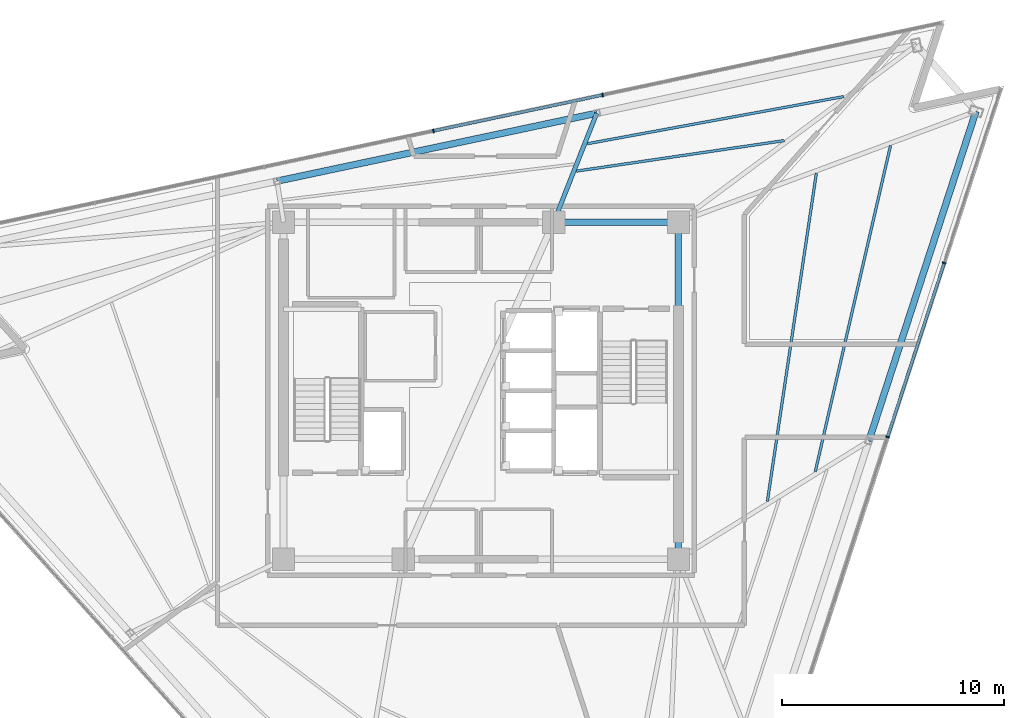
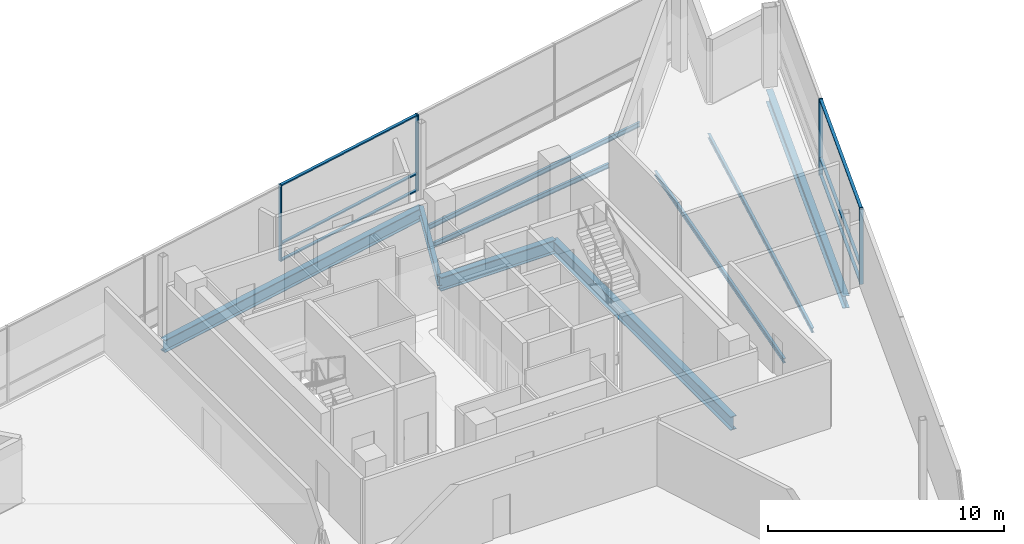
# One storey, part 8 of 16: 10 members, 9 beams, 2 elements without a shape of their own.
"""IFC4 building model written with IfcOpenShell, lengths in metres."""

from ifc_helpers import new_model, si_unit, direction, frame, origin, origin_2d, place, context, subcontext, project, spatial, rectangle, i_section, extrude, material, layer, layer_set, material_profile, profile_set, type_object, element, aggregate, save


model = new_model("IFC4")

# Units and contexts
model_context = context("Model", 3, precision=1e-05, world=origin(), true_north=direction((0.0, 1.0)))
body_context = subcontext(model_context, "Body", "Model", "MODEL_VIEW")
ifc_project = project(units=[si_unit("LENGTHUNIT", "METRE"), si_unit("AREAUNIT", "SQUARE_METRE"), si_unit("VOLUMEUNIT", "CUBIC_METRE"), si_unit("PLANEANGLEUNIT", "RADIAN"), si_unit("MASSUNIT", "GRAM", prefix="KILO")], contexts=[model_context])

# Site, building, storey
site_placement = place(None, origin())
site = spatial("IfcSite", under=ifc_project, at=site_placement, CompositionType="ELEMENT")
building_placement = place(site_placement, origin())
building = spatial("IfcBuilding", under=site, at=building_placement, Name="Tharavind Bronze Gate", CompositionType="ELEMENT")
storey_placement = place(building_placement, frame((0.0, 0.0, 302.14990234375)))
storey = spatial("IfcBuildingStorey", under=building, at=storey_placement, Name="L78", CompositionType="ELEMENT", Elevation=302.14990234375)

# Curtain wall, members
ifc_material_1 = material(Name="Anodised Bronze Aluminium", Category="aluminium")
ifc_layer = layer(ifc_material_1, 0.219970703125)
ifc_layer_set = layer_set([ifc_layer], Name="Anodised Bronze Aluminium")
curtain_wall_type = type_object("IfcCurtainWallType", Name="UNITISED CURTAIN WALL CROWN", PredefinedType="USERDEFINED", material=ifc_layer_set)
curtain_wall_1_placement = place(storey_placement, origin())
curtain_wall_1 = element("IfcCurtainWall", 1, at=curtain_wall_1_placement, inside=storey, type_object=curtain_wall_type, Name="L78 unitised curtain wall crown CW-L78-S2", ObjectType="UNITISED CURTAIN WALL", PredefinedType="USERDEFINED")
member_type_1 = type_object("IfcMemberType", Name="CURTAIN WALL BRONZE MULLION 65X180", PredefinedType="MULLION", material=ifc_material_1)
member_1_placement = place(storey_placement, frame((18.336181640625, -2.08544921875, 0.0), z_axis=(0.0, 0.0, 1.0), x_axis=(0.309016994375, 0.951056516295, 0.0)))
member_1 = element("IfcMember", 2, at=member_1_placement, type_object=member_type_1, Name="CW-L78-S2 mullion 5", PredefinedType="MULLION", context=body_context, shape_type="SweptSolid", body=[
    extrude(rectangle(XDim=0.06494140625, YDim=0.179931640625, at=origin_2d()), origin(), (0.0, 0.0, 1.0), 3.949951171875),
])
member_2_placement = place(storey_placement, frame((20.885009765625, 5.759033203125, 0.0), z_axis=(0.0, 0.0, 1.0), x_axis=(0.309016994375, 0.951056516295, 0.0)))
member_2 = element("IfcMember", 3, at=member_2_placement, type_object=member_type_1, Name="CW-L78-S2 mullion 6", PredefinedType="MULLION", context=body_context, shape_type="SweptSolid", body=[
    extrude(rectangle(XDim=0.06494140625, YDim=0.179931640625, at=origin_2d()), origin(), (0.0, 0.0, 1.0), 3.949951171875),
])

curtain_wall_2_placement = place(storey_placement, origin())
curtain_wall_2 = element("IfcCurtainWall", 4, at=curtain_wall_2_placement, inside=storey, type_object=curtain_wall_type, Name="L78 unitised curtain wall crown CW-L78-S3", ObjectType="UNITISED CURTAIN WALL", PredefinedType="USERDEFINED")
member_3_placement = place(storey_placement, frame((5.487548828125, 13.33740234375, 0.0), z_axis=(0.0, 0.0, 1.0), x_axis=(-0.978147237858, -0.207913398007, 0.0)))
member_3 = element("IfcMember", 5, at=member_3_placement, type_object=member_type_1, Name="CW-L78-S3 mullion 3", PredefinedType="MULLION", context=body_context, shape_type="SweptSolid", body=[
    extrude(rectangle(XDim=0.06494140625, YDim=0.179931640625, at=origin_2d()), origin(), (0.0, 0.0, 1.0), 3.949951171875),
])
member_4_placement = place(storey_placement, frame((-2.14453125, 11.715087890625, 0.0), z_axis=(0.0, 0.0, 1.0), x_axis=(-0.978147237858, -0.207913398007, 0.0)))
member_4 = element("IfcMember", 6, at=member_4_placement, type_object=member_type_1, Name="CW-L78-S3 mullion 4", PredefinedType="MULLION", context=body_context, shape_type="SweptSolid", body=[
    extrude(rectangle(XDim=0.06494140625, YDim=0.179931640625, at=origin_2d()), origin(), (0.0, 0.0, 1.0), 3.949951171875),
])

# Member
member_type_2 = type_object("IfcMemberType", Name="CURTAIN WALL BRONZE TRANSOM 65X140", PredefinedType="USERDEFINED", material=ifc_material_1)
member_5_placement = place(storey_placement, frame((19.610595703125, 1.8369140625, 0.000244140625), z_axis=(0.0, 0.0, 1.0), x_axis=(0.309016994375, 0.951056516295, 0.0)))
member_5 = element("IfcMember", 7, at=member_5_placement, type_object=member_type_2, Name="CW-L78-S2 transom TB5", ObjectType="TRANSOM", PredefinedType="USERDEFINED", context=body_context, shape_type="SweptSolid", body=[
    extrude(rectangle(XDim=8.195068359375, YDim=0.139892578125, at=origin_2d()), origin(), (0.0, 0.0, 1.0), 0.06494140625),
])

member_6_placement = place(storey_placement, frame((19.610595703125, 1.8369140625, 0.86767578125), z_axis=(0.0, 0.0, 1.0), x_axis=(0.309016994375, 0.951056516295, 0.0)))
member_6 = element("IfcMember", 8, at=member_6_placement, type_object=member_type_2, Name="CW-L78-S2 transom TS5", ObjectType="TRANSOM", PredefinedType="USERDEFINED", context=body_context, shape_type="SweptSolid", body=[
    extrude(rectangle(XDim=8.195068359375, YDim=0.139892578125, at=origin_2d()), origin(), (0.0, 0.0, 1.0), 0.06494140625),
])

member_7_placement = place(storey_placement, frame((19.610595703125, 1.8369140625, 3.885009765625), z_axis=(0.0, 0.0, 1.0), x_axis=(0.309016994375, 0.951056516295, 0.0)))
member_7 = element("IfcMember", 9, at=member_7_placement, type_object=member_type_2, Name="CW-L78-S2 transom TT5", ObjectType="TRANSOM", PredefinedType="USERDEFINED", context=body_context, shape_type="SweptSolid", body=[
    extrude(rectangle(XDim=8.195068359375, YDim=0.139892578125, at=origin_2d()), origin(), (0.0, 0.0, 1.0), 0.06494140625),
])

aggregate(curtain_wall_1, [member_1, member_2, member_5, member_6, member_7])

member_8_placement = place(storey_placement, frame((1.67138671875, 12.526123046875, 0.000244140625), z_axis=(0.0, 0.0, 1.0), x_axis=(-0.978147237858, -0.207913398007, 0.0)))
member_8 = element("IfcMember", 10, at=member_8_placement, type_object=member_type_2, Name="CW-L78-S3 transom TB3", ObjectType="TRANSOM", PredefinedType="USERDEFINED", context=body_context, shape_type="SweptSolid", body=[
    extrude(rectangle(XDim=7.749755859375, YDim=0.139892578125, at=origin_2d()), origin(), (0.0, 0.0, 1.0), 0.06494140625),
])

member_9_placement = place(storey_placement, frame((1.67138671875, 12.526123046875, 0.86767578125), z_axis=(0.0, 0.0, 1.0), x_axis=(-0.978147237858, -0.207913398007, 0.0)))
member_9 = element("IfcMember", 11, at=member_9_placement, type_object=member_type_2, Name="CW-L78-S3 transom TS3", ObjectType="TRANSOM", PredefinedType="USERDEFINED", context=body_context, shape_type="SweptSolid", body=[
    extrude(rectangle(XDim=7.749755859375, YDim=0.139892578125, at=origin_2d()), origin(), (0.0, 0.0, 1.0), 0.06494140625),
])

member_10_placement = place(storey_placement, frame((1.67138671875, 12.526123046875, 3.885009765625), z_axis=(0.0, 0.0, 1.0), x_axis=(-0.978147237858, -0.207913398007, 0.0)))
member_10 = element("IfcMember", 12, at=member_10_placement, type_object=member_type_2, Name="CW-L78-S3 transom TT3", ObjectType="TRANSOM", PredefinedType="USERDEFINED", context=body_context, shape_type="SweptSolid", body=[
    extrude(rectangle(XDim=7.749755859375, YDim=0.139892578125, at=origin_2d()), origin(), (0.0, 0.0, 1.0), 0.06494140625),
])

aggregate(curtain_wall_2, [member_3, member_4, member_8, member_9, member_10])

# Beams
ifc_material_2 = material(Name="Steel S355", Category="steel")
ifc_material_profile_1 = material_profile(ifc_material_2, i_section(OverallWidth=0.300048828125, OverallDepth=0.64990234375, WebThickness=0.01611328125, FlangeThickness=0.031005859375, at=origin_2d()), Name="HE650B")
ifc_profile_set_1 = profile_set([ifc_material_profile_1], Name="Steel S355")
beam_type_1 = type_object("IfcBeamType", Name="PRIMARY GIRDER HE650B", PredefinedType="USERDEFINED", material=ifc_profile_set_1)
beam_1_placement = place(storey_placement, frame((17.4892578125, -2.265380859375, -0.52490234375), z_axis=(0.309011547215, 0.951058286168, 0.0), x_axis=(-0.951058286168, 0.309011547215, 0.0)))
element("IfcBeam", 13, at=beam_1_placement, inside=storey, type_object=beam_type_1, Name="L78 primary girder he650b BM-L78-PRG07", ObjectType="GIRDER", PredefinedType="USERDEFINED", context=body_context, shape_type="SweptSolid", body=[
    extrude(i_section(OverallWidth=0.300048828125, OverallDepth=0.64990234375, WebThickness=0.01611328125, FlangeThickness=0.031005859375, at=origin_2d()), origin(), (0.0, 0.0, 1.0), 15.6298828125),
])
beam_2_placement = place(storey_placement, frame((5.219970703125, 12.513671875, -0.52490234375), z_axis=(-0.97814794647, -0.207910064249, 0.0), x_axis=(0.207910064249, -0.97814794647, 0.0)))
element("IfcBeam", 14, at=beam_2_placement, inside=storey, type_object=beam_type_1, Name="L78 primary girder he650b BM-L78-PRG10", ObjectType="GIRDER", PredefinedType="USERDEFINED", context=body_context, shape_type="SweptSolid", body=[
    extrude(i_section(OverallWidth=0.300048828125, OverallDepth=0.64990234375, WebThickness=0.01611328125, FlangeThickness=0.031005859375, at=origin_2d()), origin(), (0.0, 0.0, 1.0), 14.7392578125),
])
ifc_material_profile_2 = material_profile(ifc_material_2, i_section(OverallWidth=0.199951171875, OverallDepth=0.5, WebThickness=0.01025390625, FlangeThickness=0.01611328125, at=origin_2d()), Name="IPE500")
ifc_profile_set_2 = profile_set([ifc_material_profile_2], Name="Steel S355")
beam_type_2 = type_object("IfcBeamType", Name="PRIMARY GIRDER IPE500", PredefinedType="USERDEFINED", material=ifc_profile_set_2)
beam_3_placement = place(storey_placement, frame((5.219970703125, 12.513671875, -0.449951171875), z_axis=(-0.367227563748, -0.930131128618, 0.0), x_axis=(0.930131128618, -0.367227563748, 0.0)))
element("IfcBeam", 15, at=beam_3_placement, inside=storey, type_object=beam_type_2, Name="L78 primary girder ipe500 BM-L78-RAD10", ObjectType="GIRDER", PredefinedType="USERDEFINED", context=body_context, shape_type="SweptSolid", body=[
    extrude(i_section(OverallWidth=0.199951171875, OverallDepth=0.5, WebThickness=0.01025390625, FlangeThickness=0.01611328125, at=origin_2d()), origin(), (0.0, 0.0, 1.0), 5.28271484375),
])
ifc_material_profile_3 = material_profile(ifc_material_2, i_section(OverallWidth=0.300048828125, OverallDepth=0.699951171875, WebThickness=0.01708984375, FlangeThickness=0.031982421875, at=origin_2d()), Name="HE700B")
ifc_profile_set_3 = profile_set([ifc_material_profile_3], Name="Steel S355")
beam_type_3 = type_object("IfcBeamType", Name="RING GIRDER HE700B", PredefinedType="USERDEFINED", material=ifc_profile_set_3)
beam_4_placement = place(storey_placement, frame((8.89990234375, -7.60009765625, -0.5498046875), z_axis=(0.0, 1.0, 0.0), x_axis=(-1.0, 0.0, 0.0)))
element("IfcBeam", 16, at=beam_4_placement, inside=storey, type_object=beam_type_3, Name="L78 ring girder he700b BM-L78-CR3", ObjectType="GIRDER", PredefinedType="USERDEFINED", context=body_context, shape_type="SweptSolid", body=[
    extrude(i_section(OverallWidth=0.300048828125, OverallDepth=0.699951171875, WebThickness=0.01708984375, FlangeThickness=0.031982421875, at=origin_2d()), origin(), (0.0, 0.0, 1.0), 15.2001953125),
])
beam_5_placement = place(storey_placement, frame((8.89990234375, 7.60009765625, -0.5498046875), z_axis=(-1.0, 0.0, 0.0), x_axis=(0.0, -1.0, 0.0)))
element("IfcBeam", 17, at=beam_5_placement, inside=storey, type_object=beam_type_3, Name="L78 ring girder he700b BM-L78-CR4", ObjectType="GIRDER", PredefinedType="USERDEFINED", context=body_context, shape_type="SweptSolid", body=[
    extrude(i_section(OverallWidth=0.300048828125, OverallDepth=0.699951171875, WebThickness=0.01708984375, FlangeThickness=0.031982421875, at=origin_2d()), origin(), (0.0, 0.0, 1.0), 5.619873046875),
])
ifc_material_profile_4 = material_profile(ifc_material_2, i_section(OverallWidth=0.1201171875, OverallDepth=0.239990234375, WebThickness=0.006103515625, FlangeThickness=0.009765625, at=origin_2d()), Name="IPE240")
ifc_profile_set_4 = profile_set([ifc_material_profile_4], Name="Steel S355")
beam_type_4 = type_object("IfcBeamType", Name="SECONDARY FLOOR JOIST IPE240", PredefinedType="JOIST", material=ifc_profile_set_4)
beam_6_placement = place(storey_placement, frame((12.913818359375, -4.985595703125, -0.31982421875), z_axis=(0.147668368553, 0.989036932035, 0.0), x_axis=(-0.989036932035, 0.147668368553, 0.0)))
element("IfcBeam", 18, at=beam_6_placement, inside=storey, type_object=beam_type_4, Name="L78 secondary floor joist ipe240 BM-L78-JSTA07", PredefinedType="JOIST", context=body_context, shape_type="SweptSolid", body=[
    extrude(i_section(OverallWidth=0.1201171875, OverallDepth=0.239990234375, WebThickness=0.006103515625, FlangeThickness=0.009765625, at=origin_2d()), origin(), (0.0, 0.0, 1.0), 14.95751953125),
])
beam_7_placement = place(storey_placement, frame((15.073974609375, -3.644287109375, -0.31982421875), z_axis=(0.224913878483, 0.974378646762, 0.0), x_axis=(-0.974378646762, 0.224913878483, 0.0)))
element("IfcBeam", 19, at=beam_7_placement, inside=storey, type_object=beam_type_4, Name="L78 secondary floor joist ipe240 BM-L78-JSTB07", PredefinedType="JOIST", context=body_context, shape_type="SweptSolid", body=[
    extrude(i_section(OverallWidth=0.1201171875, OverallDepth=0.239990234375, WebThickness=0.006103515625, FlangeThickness=0.009765625, at=origin_2d()), origin(), (0.0, 0.0, 1.0), 15.0849609375),
])
beam_8_placement = place(storey_placement, frame((13.679931640625, 11.278564453125, -0.31982421875), z_axis=(-0.989403029467, -0.145195197172, 0.0), x_axis=(0.145195197172, -0.989403029467, 0.0)))
element("IfcBeam", 20, at=beam_8_placement, inside=storey, type_object=beam_type_4, Name="L78 secondary floor joist ipe240 BM-L78-JSTA09", PredefinedType="JOIST", context=body_context, shape_type="SweptSolid", body=[
    extrude(i_section(OverallWidth=0.1201171875, OverallDepth=0.239990234375, WebThickness=0.006103515625, FlangeThickness=0.009765625, at=origin_2d()), origin(), (0.0, 0.0, 1.0), 9.47998046875),
])
beam_9_placement = place(storey_placement, frame((16.350341796875, 13.2626953125, -0.31982421875), z_axis=(-0.983492984131, -0.180946263195, 0.0), x_axis=(0.180946263195, -0.983492984131, 0.0)))
element("IfcBeam", 21, at=beam_9_placement, inside=storey, type_object=beam_type_4, Name="L78 secondary floor joist ipe240 BM-L78-JSTB09", PredefinedType="JOIST", context=body_context, shape_type="SweptSolid", body=[
    extrude(i_section(OverallWidth=0.1201171875, OverallDepth=0.239990234375, WebThickness=0.006103515625, FlangeThickness=0.009765625, at=origin_2d()), origin(), (0.0, 0.0, 1.0), 11.75732421875),
])

save(model, "model.ifc")
